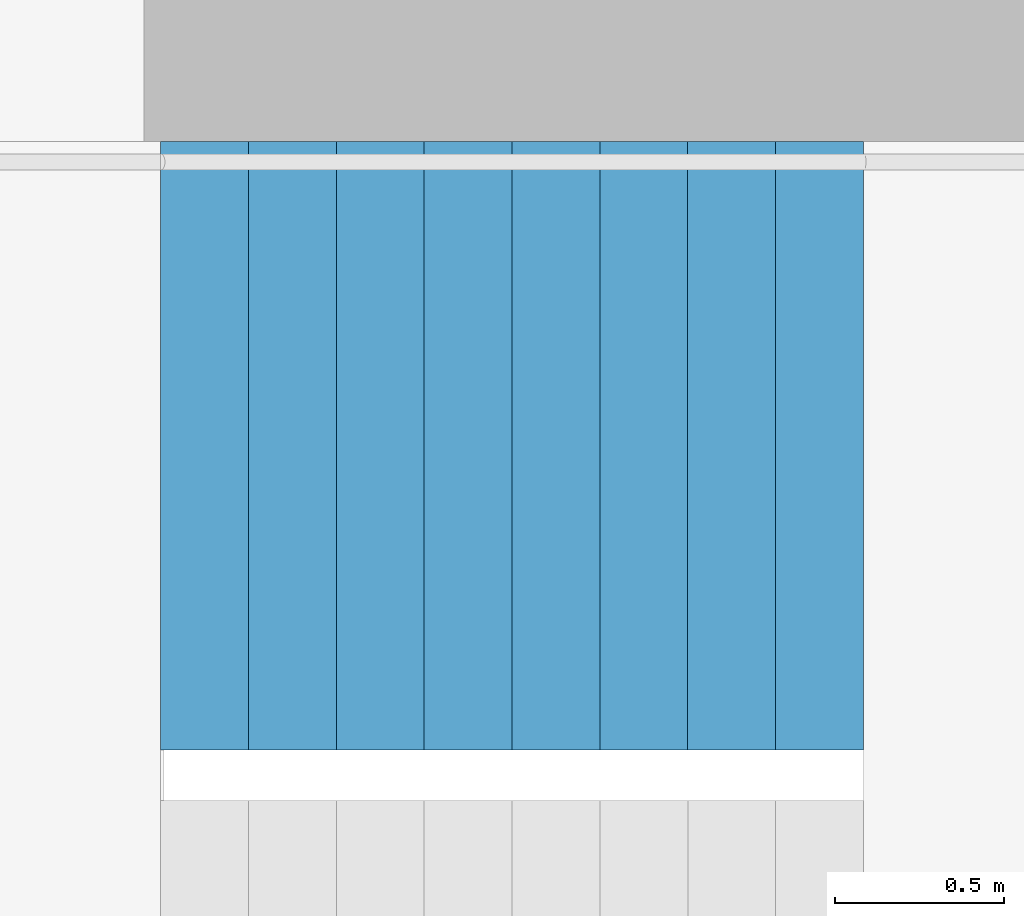
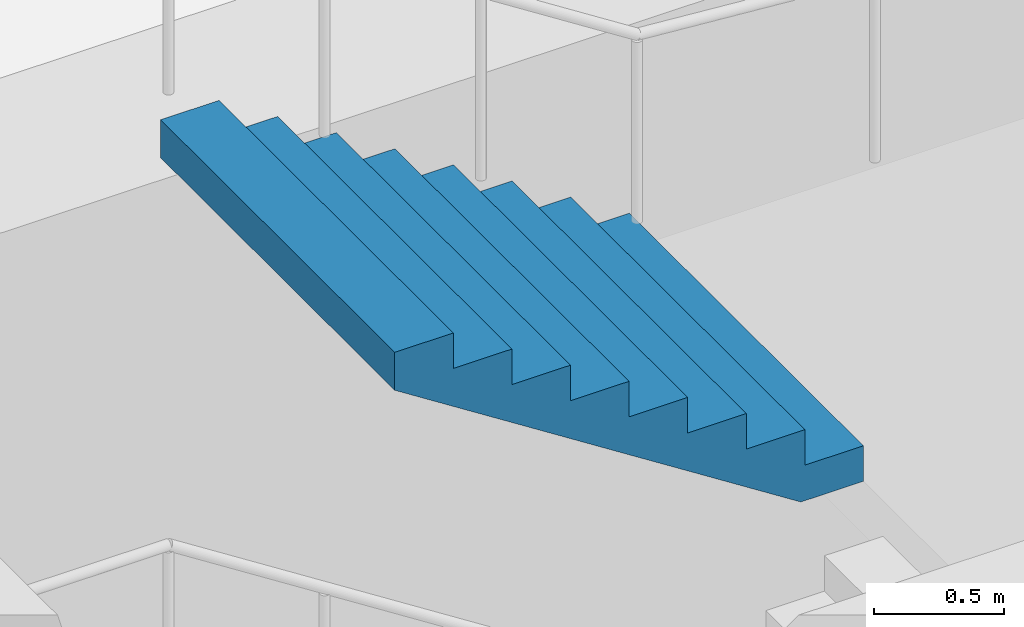
# One storey, part 25 of 35: 1 stair flight, 1 element without a shape of its own.
"""IFC4 building model written with IfcOpenShell, lengths in metres."""

from ifc_helpers import new_model, si_unit, direction, frame, origin, place, context, subcontext, project, spatial, triangles, material, type_object, element, aggregate, save


model = new_model("IFC4")

# Units and contexts
model_context = context("Model", 3, precision=1e-05, world=origin(), true_north=direction((0.0, 1.0)))
body_context = subcontext(model_context, "Body", "Model", "MODEL_VIEW")
ifc_project = project(units=[si_unit("LENGTHUNIT", "METRE"), si_unit("AREAUNIT", "SQUARE_METRE"), si_unit("VOLUMEUNIT", "CUBIC_METRE"), si_unit("PLANEANGLEUNIT", "RADIAN"), si_unit("MASSUNIT", "GRAM", prefix="KILO")], contexts=[model_context])

# Site, building, storey
site_placement = place(None, origin())
site = spatial("IfcSite", under=ifc_project, at=site_placement, CompositionType="ELEMENT")
building_placement = place(site_placement, origin())
building = spatial("IfcBuilding", under=site, at=building_placement, Name="Hakoniwa Tower and Hamabe Station Hall", CompositionType="ELEMENT")
storey_placement = place(building_placement, frame((0.0, 0.0, 264.60009765625)))
storey = spatial("IfcBuildingStorey", under=building, at=storey_placement, Name="L75", CompositionType="ELEMENT", Elevation=264.60009765625)

# Stair, stair flight
ifc_material_1 = material(Name="Concrete C40", Category="concrete")
stair_type = type_object("IfcStairType", Name="ESCAPE STAIR 1800", PredefinedType="HALF_TURN_STAIR", material=ifc_material_1)
stair_placement = place(storey_placement, origin())
stair = element("IfcStair", 1, at=stair_placement, inside=storey, type_object=stair_type, Name="Escape stair ST-1 L75", PredefinedType="HALF_TURN_STAIR")
ifc_material_2 = material(Name="Concrete C40", Category="concrete")
stair_flight_type = type_object("IfcStairFlightType", Name="STAIR FLIGHT 1800", PredefinedType="STRAIGHT", material=ifc_material_2)
stair_flight_placement = place(storey_placement, frame((-22.320068359375, 6.60009765625, 4.5), z_axis=(0.0, 0.0, 1.0), x_axis=(-1.0, 0.0, 0.0)))
stair_flight = element("IfcStairFlight", 2, at=stair_flight_placement, type_object=stair_flight_type, Name="ST-1 flight 4", NumberOfRisers=9, NumberOfTreads=8, PredefinedType="STRAIGHT", RiserHeight=0.166666667, TreadLength=0.26, context=body_context, shape_type="Tessellation", body=[
    triangles([(0.0, 0.89990234375, 0.0), (0.260009765625, 0.89990234375, 0.0), (0.27783203125, 0.89990234375, 0.0), (0.52001953125, 0.89990234375, 0.1552734375), (0.780029296875, 0.89990234375, 0.322021484375), (1.0400390625, 0.89990234375, 0.488525390625), (1.300048828125, 0.89990234375, 0.6552734375), (1.56005859375, 0.89990234375, 0.822021484375), (1.820068359375, 0.89990234375, 0.988525390625), (2.080078125, 0.89990234375, 1.1552734375), (2.080078125, 0.89990234375, 1.333251953125), (1.820068359375, 0.89990234375, 1.333251953125), (1.820068359375, 0.89990234375, 1.166748046875), (1.56005859375, 0.89990234375, 1.166748046875), (1.56005859375, 0.89990234375, 1.0), (1.300048828125, 0.89990234375, 1.0), (1.300048828125, 0.89990234375, 0.833251953125), (1.0400390625, 0.89990234375, 0.833251953125), (1.0400390625, 0.89990234375, 0.666748046875), (0.780029296875, 0.89990234375, 0.666748046875), (0.780029296875, 0.89990234375, 0.5), (0.52001953125, 0.89990234375, 0.5), (0.52001953125, 0.89990234375, 0.333251953125), (0.27783203125, 0.89990234375, 0.333251953125), (0.260009765625, 0.89990234375, 0.333251953125), (0.260009765625, 0.89990234375, 0.166748046875), (0.0, 0.89990234375, 0.166748046875), (0.0, 0.06005859375, 0.0), (0.260009765625, 0.06005859375, 0.0), (0.27783203125, 0.06005859375, 0.0), (0.52001953125, 0.06005859375, 0.1552734375), (0.780029296875, 0.06005859375, 0.322021484375), (1.0400390625, 0.06005859375, 0.488525390625), (1.300048828125, 0.06005859375, 0.6552734375), (1.56005859375, 0.06005859375, 0.822021484375), (1.820068359375, 0.06005859375, 0.988525390625), (2.080078125, 0.06005859375, 1.1552734375), (2.080078125, 0.06005859375, 1.333251953125), (1.820068359375, 0.06005859375, 1.333251953125), (1.820068359375, 0.06005859375, 1.166748046875), (1.56005859375, 0.06005859375, 1.166748046875), (1.56005859375, 0.06005859375, 1.0), (1.300048828125, 0.06005859375, 1.0), (1.300048828125, 0.06005859375, 0.833251953125), (1.0400390625, 0.06005859375, 0.833251953125), (1.0400390625, 0.06005859375, 0.666748046875), (0.780029296875, 0.06005859375, 0.666748046875), (0.780029296875, 0.06005859375, 0.5), (0.52001953125, 0.06005859375, 0.5), (0.52001953125, 0.06005859375, 0.333251953125), (0.27783203125, 0.06005859375, 0.333251953125), (0.260009765625, 0.06005859375, 0.333251953125), (0.260009765625, 0.06005859375, 0.166748046875), (0.0, 0.06005859375, 0.166748046875), (0.0, 0.04296875, 0.0), (0.260009765625, 0.04296875, 0.0), (0.27783203125, 0.04296875, 0.0), (0.52001953125, 0.04296875, 0.1552734375), (0.780029296875, 0.04296875, 0.322021484375), (1.0400390625, 0.04296875, 0.488525390625), (1.300048828125, 0.04296875, 0.6552734375), (1.56005859375, 0.04296875, 0.822021484375), (1.820068359375, 0.04296875, 0.988525390625), (2.080078125, 0.04296875, 1.1552734375), (2.080078125, 0.04296875, 1.333251953125), (1.820068359375, 0.04296875, 1.333251953125), (1.820068359375, 0.04296875, 1.166748046875), (1.56005859375, 0.04296875, 1.166748046875), (1.56005859375, 0.04296875, 1.0), (1.300048828125, 0.04296875, 1.0), (1.300048828125, 0.04296875, 0.833251953125), (1.0400390625, 0.04296875, 0.833251953125), (1.0400390625, 0.04296875, 0.666748046875), (0.780029296875, 0.04296875, 0.666748046875), (0.780029296875, 0.04296875, 0.5), (0.52001953125, 0.04296875, 0.5), (0.52001953125, 0.04296875, 0.333251953125), (0.27783203125, 0.04296875, 0.333251953125), (0.260009765625, 0.04296875, 0.333251953125), (0.260009765625, 0.04296875, 0.166748046875), (0.0, 0.04296875, 0.166748046875), (0.0, 0.025634765625, 0.0), (0.260009765625, 0.025634765625, 0.0), (0.27783203125, 0.025634765625, 0.0), (0.52001953125, 0.025634765625, 0.1552734375), (0.780029296875, 0.025634765625, 0.322021484375), (1.0400390625, 0.025634765625, 0.488525390625), (1.300048828125, 0.025634765625, 0.6552734375), (1.56005859375, 0.025634765625, 0.822021484375), (1.820068359375, 0.025634765625, 0.988525390625), (2.080078125, 0.025634765625, 1.1552734375), (2.080078125, 0.025634765625, 1.333251953125), (1.820068359375, 0.025634765625, 1.333251953125), (1.820068359375, 0.025634765625, 1.166748046875), (1.56005859375, 0.025634765625, 1.166748046875), (1.56005859375, 0.025634765625, 1.0), (1.300048828125, 0.025634765625, 1.0), (1.300048828125, 0.025634765625, 0.833251953125), (1.0400390625, 0.025634765625, 0.833251953125), (1.0400390625, 0.025634765625, 0.666748046875), (0.780029296875, 0.025634765625, 0.666748046875), (0.780029296875, 0.025634765625, 0.5), (0.52001953125, 0.025634765625, 0.5), (0.52001953125, 0.025634765625, 0.333251953125), (0.27783203125, 0.025634765625, 0.333251953125), (0.260009765625, 0.025634765625, 0.333251953125), (0.260009765625, 0.025634765625, 0.166748046875), (0.0, 0.025634765625, 0.166748046875), (0.0, 0.008544921875, 0.0), (0.260009765625, 0.008544921875, 0.0), (0.27783203125, 0.008544921875, 0.0), (0.52001953125, 0.008544921875, 0.1552734375), (0.780029296875, 0.008544921875, 0.322021484375), (1.0400390625, 0.008544921875, 0.488525390625), (1.300048828125, 0.008544921875, 0.6552734375), (1.56005859375, 0.008544921875, 0.822021484375), (1.820068359375, 0.008544921875, 0.988525390625), (2.080078125, 0.008544921875, 1.1552734375), (2.080078125, 0.008544921875, 1.333251953125), (1.820068359375, 0.008544921875, 1.333251953125), (1.820068359375, 0.008544921875, 1.166748046875), (1.56005859375, 0.008544921875, 1.166748046875), (1.56005859375, 0.008544921875, 1.0), (1.300048828125, 0.008544921875, 1.0), (1.300048828125, 0.008544921875, 0.833251953125), (1.0400390625, 0.008544921875, 0.833251953125), (1.0400390625, 0.008544921875, 0.666748046875), (0.780029296875, 0.008544921875, 0.666748046875), (0.780029296875, 0.008544921875, 0.5), (0.52001953125, 0.008544921875, 0.5), (0.52001953125, 0.008544921875, 0.333251953125), (0.27783203125, 0.008544921875, 0.333251953125), (0.260009765625, 0.008544921875, 0.333251953125), (0.260009765625, 0.008544921875, 0.166748046875), (0.0, 0.008544921875, 0.166748046875), (0.0, -0.008544921875, 0.0), (0.260009765625, -0.008544921875, 0.0), (0.27783203125, -0.008544921875, 0.0), (0.52001953125, -0.008544921875, 0.1552734375), (0.780029296875, -0.008544921875, 0.322021484375), (1.0400390625, -0.008544921875, 0.488525390625), (1.300048828125, -0.008544921875, 0.6552734375), (1.56005859375, -0.008544921875, 0.822021484375), (1.820068359375, -0.008544921875, 0.988525390625), (2.080078125, -0.008544921875, 1.1552734375), (2.080078125, -0.008544921875, 1.333251953125), (1.820068359375, -0.008544921875, 1.333251953125), (1.820068359375, -0.008544921875, 1.166748046875), (1.56005859375, -0.008544921875, 1.166748046875), (1.56005859375, -0.008544921875, 1.0), (1.300048828125, -0.008544921875, 1.0), (1.300048828125, -0.008544921875, 0.833251953125), (1.0400390625, -0.008544921875, 0.833251953125), (1.0400390625, -0.008544921875, 0.666748046875), (0.780029296875, -0.008544921875, 0.666748046875), (0.780029296875, -0.008544921875, 0.5), (0.52001953125, -0.008544921875, 0.5), (0.52001953125, -0.008544921875, 0.333251953125), (0.27783203125, -0.008544921875, 0.333251953125), (0.260009765625, -0.008544921875, 0.333251953125), (0.260009765625, -0.008544921875, 0.166748046875), (0.0, -0.008544921875, 0.166748046875), (0.0, -0.025634765625, 0.0), (0.260009765625, -0.025634765625, 0.0), (0.27783203125, -0.025634765625, 0.0), (0.52001953125, -0.025634765625, 0.1552734375), (0.780029296875, -0.025634765625, 0.322021484375), (1.0400390625, -0.025634765625, 0.488525390625), (1.300048828125, -0.025634765625, 0.6552734375), (1.56005859375, -0.025634765625, 0.822021484375), (1.820068359375, -0.025634765625, 0.988525390625), (2.080078125, -0.025634765625, 1.1552734375), (2.080078125, -0.025634765625, 1.333251953125), (1.820068359375, -0.025634765625, 1.333251953125), (1.820068359375, -0.025634765625, 1.166748046875), (1.56005859375, -0.025634765625, 1.166748046875), (1.56005859375, -0.025634765625, 1.0), (1.300048828125, -0.025634765625, 1.0), (1.300048828125, -0.025634765625, 0.833251953125), (1.0400390625, -0.025634765625, 0.833251953125), (1.0400390625, -0.025634765625, 0.666748046875), (0.780029296875, -0.025634765625, 0.666748046875), (0.780029296875, -0.025634765625, 0.5), (0.52001953125, -0.025634765625, 0.5), (0.52001953125, -0.025634765625, 0.333251953125), (0.27783203125, -0.025634765625, 0.333251953125), (0.260009765625, -0.025634765625, 0.333251953125), (0.260009765625, -0.025634765625, 0.166748046875), (0.0, -0.025634765625, 0.166748046875), (0.0, -0.04296875, 0.0), (0.260009765625, -0.04296875, 0.0), (0.27783203125, -0.04296875, 0.0), (0.52001953125, -0.04296875, 0.1552734375), (0.780029296875, -0.04296875, 0.322021484375), (1.0400390625, -0.04296875, 0.488525390625), (1.300048828125, -0.04296875, 0.6552734375), (1.56005859375, -0.04296875, 0.822021484375), (1.820068359375, -0.04296875, 0.988525390625), (2.080078125, -0.04296875, 1.1552734375), (2.080078125, -0.04296875, 1.333251953125), (1.820068359375, -0.04296875, 1.333251953125), (1.820068359375, -0.04296875, 1.166748046875), (1.56005859375, -0.04296875, 1.166748046875), (1.56005859375, -0.04296875, 1.0), (1.300048828125, -0.04296875, 1.0), (1.300048828125, -0.04296875, 0.833251953125), (1.0400390625, -0.04296875, 0.833251953125), (1.0400390625, -0.04296875, 0.666748046875), (0.780029296875, -0.04296875, 0.666748046875), (0.780029296875, -0.04296875, 0.5), (0.52001953125, -0.04296875, 0.5), (0.52001953125, -0.04296875, 0.333251953125), (0.27783203125, -0.04296875, 0.333251953125), (0.260009765625, -0.04296875, 0.333251953125), (0.260009765625, -0.04296875, 0.166748046875), (0.0, -0.04296875, 0.166748046875), (0.0, -0.06005859375, 0.0), (0.260009765625, -0.06005859375, 0.0), (0.27783203125, -0.06005859375, 0.0), (0.52001953125, -0.06005859375, 0.1552734375), (0.780029296875, -0.06005859375, 0.322021484375), (1.0400390625, -0.06005859375, 0.488525390625), (1.300048828125, -0.06005859375, 0.6552734375), (1.56005859375, -0.06005859375, 0.822021484375), (1.820068359375, -0.06005859375, 0.988525390625), (2.080078125, -0.06005859375, 1.1552734375), (2.080078125, -0.06005859375, 1.333251953125), (1.820068359375, -0.06005859375, 1.333251953125), (1.820068359375, -0.06005859375, 1.166748046875), (1.56005859375, -0.06005859375, 1.166748046875), (1.56005859375, -0.06005859375, 1.0), (1.300048828125, -0.06005859375, 1.0), (1.300048828125, -0.06005859375, 0.833251953125), (1.0400390625, -0.06005859375, 0.833251953125), (1.0400390625, -0.06005859375, 0.666748046875), (0.780029296875, -0.06005859375, 0.666748046875), (0.780029296875, -0.06005859375, 0.5), (0.52001953125, -0.06005859375, 0.5), (0.52001953125, -0.06005859375, 0.333251953125), (0.27783203125, -0.06005859375, 0.333251953125), (0.260009765625, -0.06005859375, 0.333251953125), (0.260009765625, -0.06005859375, 0.166748046875), (0.0, -0.06005859375, 0.166748046875), (0.0, -0.89990234375, 0.0), (0.260009765625, -0.89990234375, 0.0), (0.27783203125, -0.89990234375, 0.0), (0.52001953125, -0.89990234375, 0.1552734375), (0.780029296875, -0.89990234375, 0.322021484375), (1.0400390625, -0.89990234375, 0.488525390625), (1.300048828125, -0.89990234375, 0.6552734375), (1.56005859375, -0.89990234375, 0.822021484375), (1.820068359375, -0.89990234375, 0.988525390625), (2.080078125, -0.89990234375, 1.1552734375), (2.080078125, -0.89990234375, 1.333251953125), (1.820068359375, -0.89990234375, 1.333251953125), (1.820068359375, -0.89990234375, 1.166748046875), (1.56005859375, -0.89990234375, 1.166748046875), (1.56005859375, -0.89990234375, 1.0), (1.300048828125, -0.89990234375, 1.0), (1.300048828125, -0.89990234375, 0.833251953125), (1.0400390625, -0.89990234375, 0.833251953125), (1.0400390625, -0.89990234375, 0.666748046875), (0.780029296875, -0.89990234375, 0.666748046875), (0.780029296875, -0.89990234375, 0.5), (0.52001953125, -0.89990234375, 0.5), (0.52001953125, -0.89990234375, 0.333251953125), (0.27783203125, -0.89990234375, 0.333251953125), (0.260009765625, -0.89990234375, 0.333251953125), (0.260009765625, -0.89990234375, 0.166748046875), (0.0, -0.89990234375, 0.166748046875)], [[2, 27, 26], [245, 269, 270], [2, 1, 27], [245, 270, 244], [3, 25, 24], [246, 267, 268], [3, 26, 25], [246, 268, 269], [3, 2, 26], [246, 269, 245], [4, 24, 23], [247, 266, 267], [4, 3, 24], [247, 267, 246], [5, 22, 21], [248, 264, 265], [5, 23, 22], [248, 265, 266], [5, 4, 23], [248, 266, 247], [6, 20, 19], [249, 262, 263], [6, 21, 20], [249, 263, 264], [6, 5, 21], [249, 264, 248], [7, 18, 17], [250, 260, 261], [7, 19, 18], [250, 261, 262], [7, 6, 19], [250, 262, 249], [8, 16, 15], [251, 258, 259], [8, 17, 16], [251, 259, 260], [8, 7, 17], [251, 260, 250], [9, 14, 13], [252, 256, 257], [9, 15, 14], [252, 257, 258], [9, 8, 15], [252, 258, 251], [10, 12, 11], [253, 254, 255], [10, 13, 12], [253, 255, 256], [10, 9, 13], [253, 256, 252], [1, 2, 29], [1, 29, 28], [28, 29, 56], [28, 56, 55], [55, 56, 83], [55, 83, 82], [82, 83, 110], [82, 110, 109], [109, 110, 137], [109, 137, 136], [136, 137, 164], [136, 164, 163], [163, 164, 191], [163, 191, 190], [190, 191, 218], [190, 218, 217], [217, 218, 245], [217, 245, 244], [2, 3, 30], [2, 30, 29], [29, 30, 57], [29, 57, 56], [56, 57, 84], [56, 84, 83], [83, 84, 111], [83, 111, 110], [110, 111, 138], [110, 138, 137], [137, 138, 165], [137, 165, 164], [164, 165, 192], [164, 192, 191], [191, 192, 219], [191, 219, 218], [218, 219, 246], [218, 246, 245], [3, 4, 31], [3, 31, 30], [30, 31, 58], [30, 58, 57], [57, 58, 85], [57, 85, 84], [84, 85, 112], [84, 112, 111], [111, 112, 139], [111, 139, 138], [138, 139, 166], [138, 166, 165], [165, 166, 193], [165, 193, 192], [192, 193, 220], [192, 220, 219], [219, 220, 247], [219, 247, 246], [4, 5, 32], [4, 32, 31], [31, 32, 59], [31, 59, 58], [58, 59, 86], [58, 86, 85], [85, 86, 113], [85, 113, 112], [112, 113, 140], [112, 140, 139], [139, 140, 167], [139, 167, 166], [166, 167, 194], [166, 194, 193], [193, 194, 221], [193, 221, 220], [220, 221, 248], [220, 248, 247], [5, 6, 33], [5, 33, 32], [32, 33, 60], [32, 60, 59], [59, 60, 87], [59, 87, 86], [86, 87, 114], [86, 114, 113], [113, 114, 141], [113, 141, 140], [140, 141, 168], [140, 168, 167], [167, 168, 195], [167, 195, 194], [194, 195, 222], [194, 222, 221], [221, 222, 249], [221, 249, 248], [6, 7, 34], [6, 34, 33], [33, 34, 61], [33, 61, 60], [60, 61, 88], [60, 88, 87], [87, 88, 115], [87, 115, 114], [114, 115, 142], [114, 142, 141], [141, 142, 169], [141, 169, 168], [168, 169, 196], [168, 196, 195], [195, 196, 223], [195, 223, 222], [222, 223, 250], [222, 250, 249], [7, 8, 35], [7, 35, 34], [34, 35, 62], [34, 62, 61], [61, 62, 89], [61, 89, 88], [88, 89, 116], [88, 116, 115], [115, 116, 143], [115, 143, 142], [142, 143, 170], [142, 170, 169], [169, 170, 197], [169, 197, 196], [196, 197, 224], [196, 224, 223], [223, 224, 251], [223, 251, 250], [8, 9, 36], [8, 36, 35], [35, 36, 63], [35, 63, 62], [62, 63, 90], [62, 90, 89], [89, 90, 117], [89, 117, 116], [116, 117, 144], [116, 144, 143], [143, 144, 171], [143, 171, 170], [170, 171, 198], [170, 198, 197], [197, 198, 225], [197, 225, 224], [224, 225, 252], [224, 252, 251], [9, 10, 37], [9, 37, 36], [36, 37, 64], [36, 64, 63], [63, 64, 91], [63, 91, 90], [90, 91, 118], [90, 118, 117], [117, 118, 145], [117, 145, 144], [144, 145, 172], [144, 172, 171], [171, 172, 199], [171, 199, 198], [198, 199, 226], [198, 226, 225], [225, 226, 253], [225, 253, 252], [10, 11, 38], [10, 38, 37], [37, 38, 65], [37, 65, 64], [64, 65, 92], [64, 92, 91], [91, 92, 119], [91, 119, 118], [118, 119, 146], [118, 146, 145], [145, 146, 173], [145, 173, 172], [172, 173, 200], [172, 200, 199], [199, 200, 227], [199, 227, 226], [226, 227, 254], [226, 254, 253], [11, 12, 39], [11, 39, 38], [38, 39, 66], [38, 66, 65], [65, 66, 93], [65, 93, 92], [92, 93, 120], [92, 120, 119], [119, 120, 147], [119, 147, 146], [146, 147, 174], [146, 174, 173], [173, 174, 201], [173, 201, 200], [200, 201, 228], [200, 228, 227], [227, 228, 255], [227, 255, 254], [12, 13, 40], [12, 40, 39], [39, 40, 67], [39, 67, 66], [66, 67, 94], [66, 94, 93], [93, 94, 121], [93, 121, 120], [120, 121, 148], [120, 148, 147], [147, 148, 175], [147, 175, 174], [174, 175, 202], [174, 202, 201], [201, 202, 229], [201, 229, 228], [228, 229, 256], [228, 256, 255], [13, 14, 41], [13, 41, 40], [40, 41, 68], [40, 68, 67], [67, 68, 95], [67, 95, 94], [94, 95, 122], [94, 122, 121], [121, 122, 149], [121, 149, 148], [148, 149, 176], [148, 176, 175], [175, 176, 203], [175, 203, 202], [202, 203, 230], [202, 230, 229], [229, 230, 257], [229, 257, 256], [14, 15, 42], [14, 42, 41], [41, 42, 69], [41, 69, 68], [68, 69, 96], [68, 96, 95], [95, 96, 123], [95, 123, 122], [122, 123, 150], [122, 150, 149], [149, 150, 177], [149, 177, 176], [176, 177, 204], [176, 204, 203], [203, 204, 231], [203, 231, 230], [230, 231, 258], [230, 258, 257], [15, 16, 43], [15, 43, 42], [42, 43, 70], [42, 70, 69], [69, 70, 97], [69, 97, 96], [96, 97, 124], [96, 124, 123], [123, 124, 151], [123, 151, 150], [150, 151, 178], [150, 178, 177], [177, 178, 205], [177, 205, 204], [204, 205, 232], [204, 232, 231], [231, 232, 259], [231, 259, 258], [16, 17, 44], [16, 44, 43], [43, 44, 71], [43, 71, 70], [70, 71, 98], [70, 98, 97], [97, 98, 125], [97, 125, 124], [124, 125, 152], [124, 152, 151], [151, 152, 179], [151, 179, 178], [178, 179, 206], [178, 206, 205], [205, 206, 233], [205, 233, 232], [232, 233, 260], [232, 260, 259], [17, 18, 45], [17, 45, 44], [44, 45, 72], [44, 72, 71], [71, 72, 99], [71, 99, 98], [98, 99, 126], [98, 126, 125], [125, 126, 153], [125, 153, 152], [152, 153, 180], [152, 180, 179], [179, 180, 207], [179, 207, 206], [206, 207, 234], [206, 234, 233], [233, 234, 261], [233, 261, 260], [18, 19, 46], [18, 46, 45], [45, 46, 73], [45, 73, 72], [72, 73, 100], [72, 100, 99], [99, 100, 127], [99, 127, 126], [126, 127, 154], [126, 154, 153], [153, 154, 181], [153, 181, 180], [180, 181, 208], [180, 208, 207], [207, 208, 235], [207, 235, 234], [234, 235, 262], [234, 262, 261], [19, 20, 47], [19, 47, 46], [46, 47, 74], [46, 74, 73], [73, 74, 101], [73, 101, 100], [100, 101, 128], [100, 128, 127], [127, 128, 155], [127, 155, 154], [154, 155, 182], [154, 182, 181], [181, 182, 209], [181, 209, 208], [208, 209, 236], [208, 236, 235], [235, 236, 263], [235, 263, 262], [20, 21, 48], [20, 48, 47], [47, 48, 75], [47, 75, 74], [74, 75, 102], [74, 102, 101], [101, 102, 129], [101, 129, 128], [128, 129, 156], [128, 156, 155], [155, 156, 183], [155, 183, 182], [182, 183, 210], [182, 210, 209], [209, 210, 237], [209, 237, 236], [236, 237, 264], [236, 264, 263], [21, 22, 49], [21, 49, 48], [48, 49, 76], [48, 76, 75], [75, 76, 103], [75, 103, 102], [102, 103, 130], [102, 130, 129], [129, 130, 157], [129, 157, 156], [156, 157, 184], [156, 184, 183], [183, 184, 211], [183, 211, 210], [210, 211, 238], [210, 238, 237], [237, 238, 265], [237, 265, 264], [22, 23, 50], [22, 50, 49], [49, 50, 77], [49, 77, 76], [76, 77, 104], [76, 104, 103], [103, 104, 131], [103, 131, 130], [130, 131, 158], [130, 158, 157], [157, 158, 185], [157, 185, 184], [184, 185, 212], [184, 212, 211], [211, 212, 239], [211, 239, 238], [238, 239, 266], [238, 266, 265], [23, 24, 51], [23, 51, 50], [50, 51, 78], [50, 78, 77], [77, 78, 105], [77, 105, 104], [104, 105, 132], [104, 132, 131], [131, 132, 159], [131, 159, 158], [158, 159, 186], [158, 186, 185], [185, 186, 213], [185, 213, 212], [212, 213, 240], [212, 240, 239], [239, 240, 267], [239, 267, 266], [24, 25, 52], [24, 52, 51], [51, 52, 79], [51, 79, 78], [78, 79, 106], [78, 106, 105], [105, 106, 133], [105, 133, 132], [132, 133, 160], [132, 160, 159], [159, 160, 187], [159, 187, 186], [186, 187, 214], [186, 214, 213], [213, 214, 241], [213, 241, 240], [240, 241, 268], [240, 268, 267], [25, 26, 53], [25, 53, 52], [52, 53, 80], [52, 80, 79], [79, 80, 107], [79, 107, 106], [106, 107, 134], [106, 134, 133], [133, 134, 161], [133, 161, 160], [160, 161, 188], [160, 188, 187], [187, 188, 215], [187, 215, 214], [214, 215, 242], [214, 242, 241], [241, 242, 269], [241, 269, 268], [26, 27, 54], [26, 54, 53], [53, 54, 81], [53, 81, 80], [80, 81, 108], [80, 108, 107], [107, 108, 135], [107, 135, 134], [134, 135, 162], [134, 162, 161], [161, 162, 189], [161, 189, 188], [188, 189, 216], [188, 216, 215], [215, 216, 243], [215, 243, 242], [242, 243, 270], [242, 270, 269], [27, 1, 28], [27, 28, 54], [54, 28, 55], [54, 55, 81], [81, 55, 82], [81, 82, 108], [108, 82, 109], [108, 109, 135], [135, 109, 136], [135, 136, 162], [162, 136, 163], [162, 163, 189], [189, 163, 190], [189, 190, 216], [216, 190, 217], [216, 217, 243], [243, 217, 244], [243, 244, 270]], closed=True),
])
aggregate(stair, [stair_flight])

save(model, "model.ifc")
